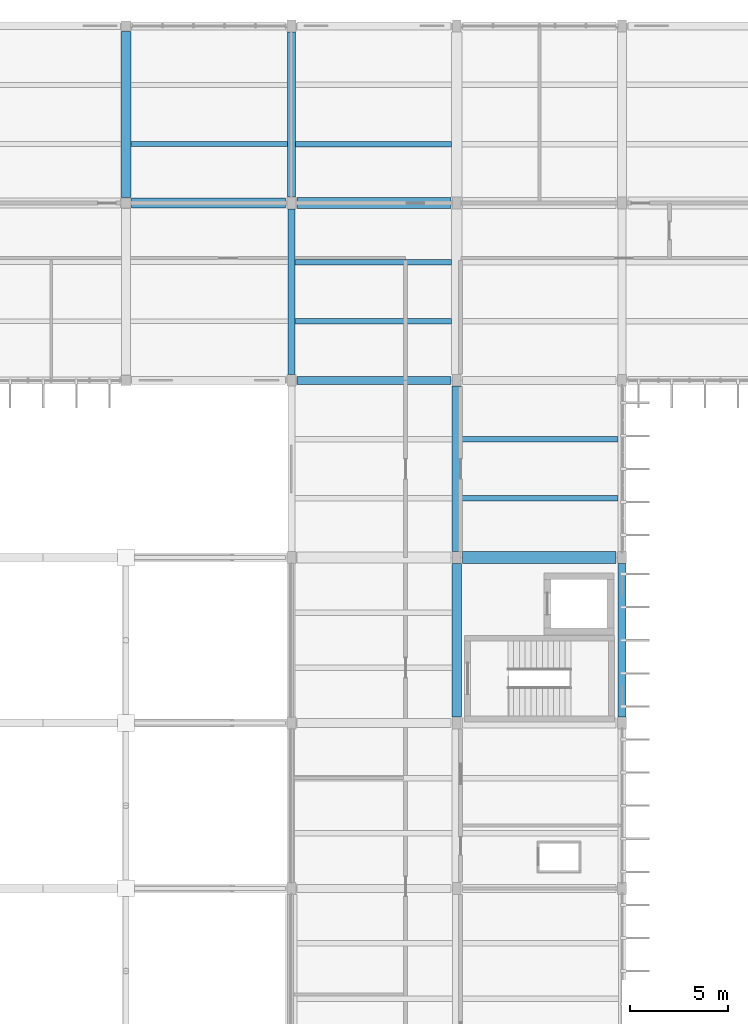
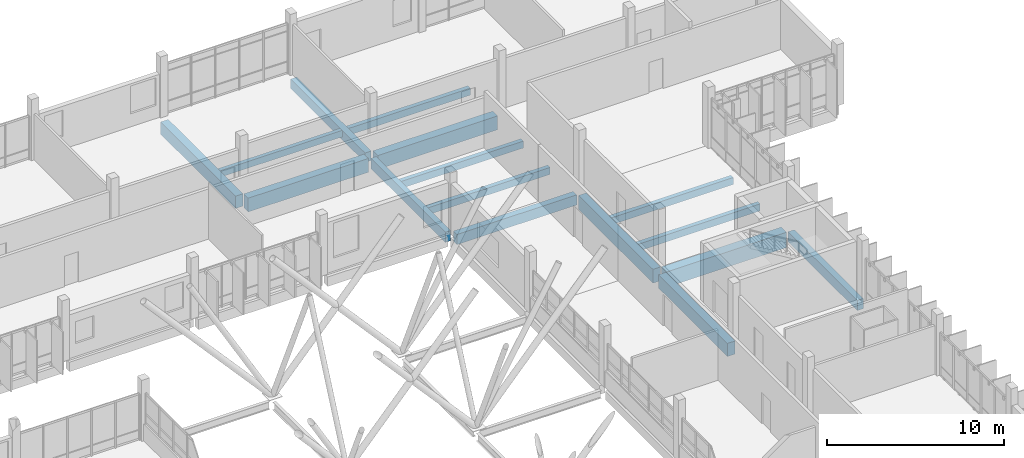
# One storey, part 52 of 107: 16 beams.
"""IFC4 building model written with IfcOpenShell, lengths in metres."""

from ifc_helpers import new_model, si_unit, direction, frame, origin, origin_2d, place, context, subcontext, project, spatial, rectangle, extrude, material, material_profile, profile_set, type_object, element, save


model = new_model("IFC4")

# Units and contexts
model_context = context("Model", 3, precision=1e-05, world=origin(), true_north=direction((0.0, 1.0)))
body_context = subcontext(model_context, "Body", "Model", "MODEL_VIEW")
ifc_project = project(units=[si_unit("LENGTHUNIT", "METRE"), si_unit("AREAUNIT", "SQUARE_METRE"), si_unit("VOLUMEUNIT", "CUBIC_METRE"), si_unit("PLANEANGLEUNIT", "RADIAN"), si_unit("MASSUNIT", "GRAM", prefix="KILO")], contexts=[model_context])

# Site, building, storey
site_placement = place(None, origin())
site = spatial("IfcSite", under=ifc_project, at=site_placement, CompositionType="ELEMENT")
building_placement = place(site_placement, origin())
building = spatial("IfcBuilding", under=site, at=building_placement, Name="Vireocrest Preparatory School", CompositionType="ELEMENT")
storey_placement = place(building_placement, frame((0.0, 0.0, 13.199951171875)))
storey = spatial("IfcBuildingStorey", under=building, at=storey_placement, Name="L03", CompositionType="ELEMENT", Elevation=13.199951171875)

# Beams
ifc_material = material(Name="Concrete 40 MPa", Category="concrete")
ifc_material_profile_1 = material_profile(ifc_material, rectangle(XDim=0.5, YDim=0.949951171875, at=origin_2d()), Name="RC 500x950")
ifc_profile_set_1 = profile_set([ifc_material_profile_1], Name="Concrete 40 MPa")
beam_type_1 = type_object("IfcBeamType", Name="RC Basement Ceiling Girder 500x950", PredefinedType="BEAM", material=ifc_profile_set_1)
beam_1_placement = place(storey_placement, frame((84.27490234375, 103.800048828125, -0.71484375), z_axis=(1.0, 0.0, 0.0), x_axis=(0.0, 1.0, 0.0)))
element("IfcBeam", 1, at=beam_1_placement, inside=storey, type_object=beam_type_1, Name="Primary Girder B16 L03-1094", PredefinedType="BEAM", context=body_context, shape_type="SweptSolid", body=[
    extrude(rectangle(XDim=0.5, YDim=0.949951171875, at=origin_2d()), origin(), (0.0, 0.0, 1.0), 7.8251953125),
])
beam_2_placement = place(storey_placement, frame((100.800048828125, 86.10009765625, -0.73486328125), z_axis=(0.0, 1.0, 0.0), x_axis=(-1.0, 0.0, 0.0)))
element("IfcBeam", 2, at=beam_2_placement, inside=storey, type_object=beam_type_1, Name="Primary Girder B16 L03-1161", PredefinedType="BEAM", context=body_context, shape_type="SweptSolid", body=[
    extrude(rectangle(XDim=0.5, YDim=0.949951171875, at=origin_2d()), origin(), (0.0, 0.0, 1.0), 8.39990234375),
])
ifc_material_profile_2 = material_profile(ifc_material, rectangle(XDim=0.39990234375, YDim=0.699951171875, at=origin_2d()), Name="RC 400x700")
ifc_profile_set_2 = profile_set([ifc_material_profile_2], Name="Concrete 40 MPa")
beam_type_2 = type_object("IfcBeamType", Name="RC Corridor Girder 400x700", PredefinedType="BEAM", material=ifc_profile_set_2)
for number, where, z_axis, x_axis, name in (
    (3, (92.699951171875, 94.800048828125, -0.60986328125), (1.0, 0.0, 0.0), (0.0, 1.0, 0.0), "Primary Girder B08 L03-1086"),
    (4, (109.199951171875, 77.699951171875, -0.60986328125), (0.0, 1.0, 0.0), (-1.0, 0.0, 0.0), "Primary Girder B08 L03-1171"),
):
    element("IfcBeam", number, at=place(storey_placement, frame(where, z_axis=z_axis, x_axis=x_axis)), inside=storey, type_object=beam_type_2, Name=name, PredefinedType="BEAM", context=body_context, shape_type="SweptSolid", body=[
        extrude(rectangle(XDim=0.39990234375, YDim=0.699951171875, at=origin_2d()), origin(), (0.0, 0.0, 1.0), 7.800048828125),
    ])
ifc_material_profile_3 = material_profile(ifc_material, rectangle(XDim=0.35009765625, YDim=0.699951171875, at=origin_2d()), Name="RC 350x700")
ifc_profile_set_3 = profile_set([ifc_material_profile_3], Name="Concrete 40 MPa")
beam_type_3 = type_object("IfcBeamType", Name="RC Laboratory Girder 350x700", PredefinedType="BEAM", material=ifc_profile_set_3)
beam_3_placement = place(storey_placement, frame((92.39990234375, 95.10009765625, -0.58984375), z_axis=(0.0, 1.0, 0.0), x_axis=(-1.0, 0.0, 0.0)))
element("IfcBeam", 5, at=beam_3_placement, inside=storey, type_object=beam_type_3, Name="Primary Girder B06 L03-1151", PredefinedType="BEAM", context=body_context, shape_type="SweptSolid", body=[
    extrude(rectangle(XDim=0.35009765625, YDim=0.699951171875, at=origin_2d()), origin(), (0.0, 0.0, 1.0), 8.39990234375),
])
ifc_material_profile_4 = material_profile(ifc_material, rectangle(XDim=0.39990234375, YDim=0.64990234375, at=origin_2d()), Name="RC 400x650")
ifc_profile_set_4 = profile_set([ifc_material_profile_4], Name="Concrete 40 MPa")
beam_type_4 = type_object("IfcBeamType", Name="RC Laboratory Girder 400x650", PredefinedType="BEAM", material=ifc_profile_set_4)
beam_4_placement = place(storey_placement, frame((92.39990234375, 104.10009765625, -0.56494140625), z_axis=(0.0, 1.0, 0.0), x_axis=(-1.0, 0.0, 0.0)))
element("IfcBeam", 6, at=beam_4_placement, inside=storey, type_object=beam_type_4, Name="Primary Girder B07 L03-1152", PredefinedType="BEAM", context=body_context, shape_type="SweptSolid", body=[
    extrude(rectangle(XDim=0.39990234375, YDim=0.64990234375, at=origin_2d()), origin(), (0.0, 0.0, 1.0), 8.39990234375),
])
ifc_material_profile_5 = material_profile(ifc_material, rectangle(XDim=0.5, YDim=0.85009765625, at=origin_2d()), Name="RC 500x850")
ifc_profile_set_5 = profile_set([ifc_material_profile_5], Name="Concrete 40 MPa")
beam_type_5 = type_object("IfcBeamType", Name="RC Podium Girder 500x850", PredefinedType="BEAM", material=ifc_profile_set_5)
beam_5_placement = place(storey_placement, frame((84.0, 104.074951171875, -0.6650390625), z_axis=(0.0, 1.0, 0.0), x_axis=(-1.0, 0.0, 0.0)))
element("IfcBeam", 7, at=beam_5_placement, inside=storey, type_object=beam_type_5, Name="Primary Girder B14 L03-1141", PredefinedType="BEAM", context=body_context, shape_type="SweptSolid", body=[
    extrude(rectangle(XDim=0.5, YDim=0.85009765625, at=origin_2d()), origin(), (0.0, 0.0, 1.0), 8.449951171875),
])
ifc_material_profile_6 = material_profile(ifc_material, rectangle(XDim=0.5, YDim=0.89990234375, at=origin_2d()), Name="RC 500x900")
ifc_profile_set_6 = profile_set([ifc_material_profile_6], Name="Concrete 40 MPa")
beam_type_6 = type_object("IfcBeamType", Name="RC Podium Girder 500x900", PredefinedType="BEAM", material=ifc_profile_set_6)
beam_6_placement = place(storey_placement, frame((100.800048828125, 77.699951171875, -0.7099609375), z_axis=(0.0, 1.0, 0.0), x_axis=(-1.0, 0.0, 0.0)))
element("IfcBeam", 8, at=beam_6_placement, inside=storey, type_object=beam_type_6, Name="Primary Girder B15 L03-1160", PredefinedType="BEAM", context=body_context, shape_type="SweptSolid", body=[
    extrude(rectangle(XDim=0.5, YDim=0.89990234375, at=origin_2d()), origin(), (0.0, 0.0, 1.0), 7.800048828125),
])
ifc_material_profile_7 = material_profile(ifc_material, rectangle(XDim=0.25, YDim=0.449951171875, at=origin_2d()), Name="RC 250x450")
ifc_profile_set_7 = profile_set([ifc_material_profile_7], Name="Concrete 40 MPa")
beam_type_7 = type_object("IfcBeamType", Name="RC Secondary Floor Joist 250x450", PredefinedType="JOIST", material=ifc_profile_set_7)
beam_7_placement = place(storey_placement, frame((84.25, 106.800048828125, -0.46484375), z_axis=(1.0, 0.0, 0.0), x_axis=(0.0, 1.0, 0.0)))
element("IfcBeam", 9, at=beam_7_placement, inside=storey, type_object=beam_type_7, Name="Secondary Joist J01 L03-1235", PredefinedType="JOIST", context=body_context, shape_type="SweptSolid", body=[
    extrude(rectangle(XDim=0.25, YDim=0.449951171875, at=origin_2d()), origin(), (0.0, 0.0, 1.0), 7.949951171875),
])
ifc_material_profile_8 = material_profile(ifc_material, rectangle(XDim=0.280029296875, YDim=0.47998046875, at=origin_2d()), Name="RC 280x480")
ifc_profile_set_8 = profile_set([ifc_material_profile_8], Name="Concrete 40 MPa")
beam_type_8 = type_object("IfcBeamType", Name="RC Secondary Lab Joist 280x480", PredefinedType="JOIST", material=ifc_profile_set_8)
for number, where, z_axis, x_axis, name in (
    (10, (92.574951171875, 97.800048828125, -0.47998046875), (1.0, 0.0, 0.0), (0.0, 1.0, 0.0), "Secondary Joist J02 L03-1255"),
    (11, (92.574951171875, 100.800048828125, -0.47998046875), (1.0, 0.0, 0.0), (0.0, 1.0, 0.0), "Secondary Joist J02 L03-1256"),
):
    element("IfcBeam", number, at=place(storey_placement, frame(where, z_axis=z_axis, x_axis=x_axis)), inside=storey, type_object=beam_type_8, Name=name, PredefinedType="JOIST", context=body_context, shape_type="SweptSolid", body=[
        extrude(rectangle(XDim=0.280029296875, YDim=0.47998046875, at=origin_2d()), origin(), (0.0, 0.0, 1.0), 7.949951171875),
    ])
beam_8_placement = place(storey_placement, frame((92.60009765625, 106.800048828125, -0.47998046875), z_axis=(1.0, 0.0, 0.0), x_axis=(0.0, 1.0, 0.0)))
element("IfcBeam", 12, at=beam_8_placement, inside=storey, type_object=beam_type_8, Name="Secondary Joist J02 L03-1257", PredefinedType="JOIST", context=body_context, shape_type="SweptSolid", body=[
    extrude(rectangle(XDim=0.280029296875, YDim=0.47998046875, at=origin_2d()), origin(), (0.0, 0.0, 1.0), 7.9248046875),
])
for number, where, z_axis, x_axis, name in (
    (13, (101.050048828125, 88.800048828125, -0.5), (1.0, 0.0, 0.0), (0.0, 1.0, 0.0), "Secondary Joist J02 L03-1271"),
    (14, (101.050048828125, 91.800048828125, -0.5), (1.0, 0.0, 0.0), (0.0, 1.0, 0.0), "Secondary Joist J02 L03-1272"),
):
    element("IfcBeam", number, at=place(storey_placement, frame(where, z_axis=z_axis, x_axis=x_axis)), inside=storey, type_object=beam_type_8, Name=name, PredefinedType="JOIST", context=body_context, shape_type="SweptSolid", body=[
        extrude(rectangle(XDim=0.280029296875, YDim=0.47998046875, at=origin_2d()), origin(), (0.0, 0.0, 1.0), 7.949951171875),
    ])
ifc_material_profile_9 = material_profile(ifc_material, rectangle(XDim=0.550048828125, YDim=0.949951171875, at=origin_2d()), Name="RC 550x950")
ifc_profile_set_9 = profile_set([ifc_material_profile_9], Name="Concrete 40 MPa")
beam_type_9 = type_object("IfcBeamType", Name="RC Setback Edge Girder 550x950", PredefinedType="BEAM", material=ifc_profile_set_9)
beam_9_placement = place(storey_placement, frame((92.699951171875, 103.800048828125, -0.71484375), z_axis=(1.0, 0.0, 0.0), x_axis=(0.0, 1.0, 0.0)))
element("IfcBeam", 15, at=beam_9_placement, inside=storey, type_object=beam_type_9, Name="Primary Girder B17 L03-1095", PredefinedType="BEAM", context=body_context, shape_type="SweptSolid", body=[
    extrude(rectangle(XDim=0.550048828125, YDim=0.949951171875, at=origin_2d()), origin(), (0.0, 0.0, 1.0), 7.800048828125),
])
ifc_material_profile_10 = material_profile(ifc_material, rectangle(XDim=0.60009765625, YDim=1.050048828125, at=origin_2d()), Name="RC 600x1050")
ifc_profile_set_10 = profile_set([ifc_material_profile_10], Name="Concrete 40 MPa")
beam_type_10 = type_object("IfcBeamType", Name="RC Transfer Girder 600x1050", PredefinedType="BEAM", material=ifc_profile_set_10)
beam_10_placement = place(storey_placement, frame((101.10009765625, 85.800048828125, -0.784912109375), z_axis=(1.0, 0.0, 0.0), x_axis=(0.0, 1.0, 0.0)))
element("IfcBeam", 16, at=beam_10_placement, inside=storey, type_object=beam_type_10, Name="Primary Girder B19 L03-1079", PredefinedType="BEAM", context=body_context, shape_type="SweptSolid", body=[
    extrude(rectangle(XDim=0.60009765625, YDim=1.050048828125, at=origin_2d()), origin(), (0.0, 0.0, 1.0), 7.7998046875),
])

save(model, "model.ifc")
